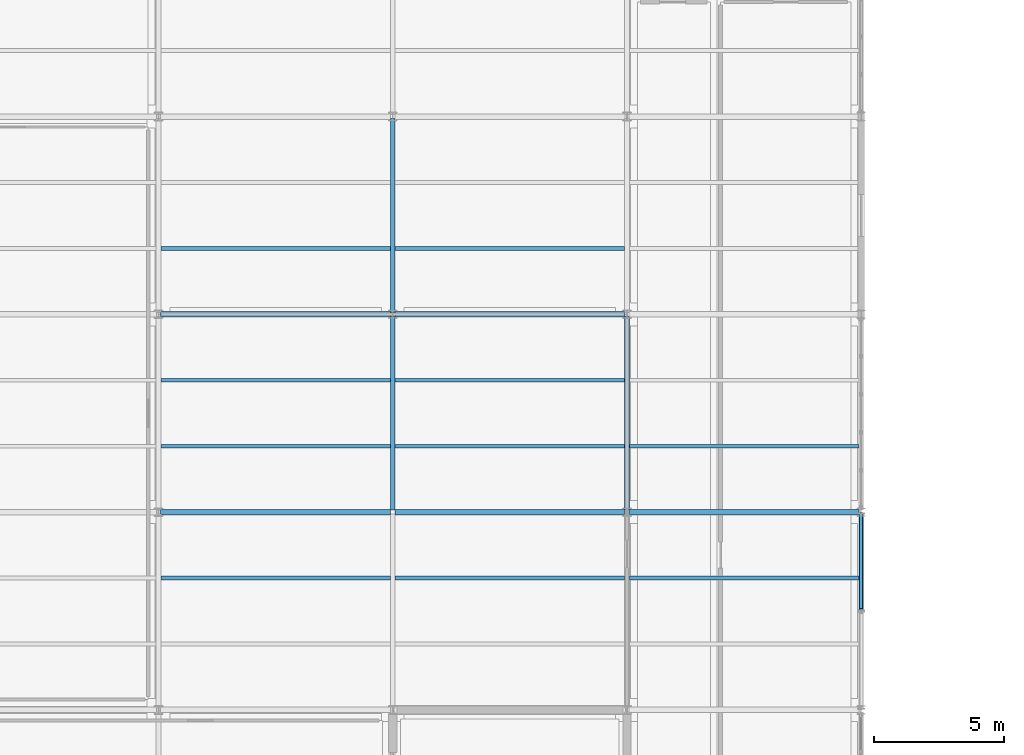
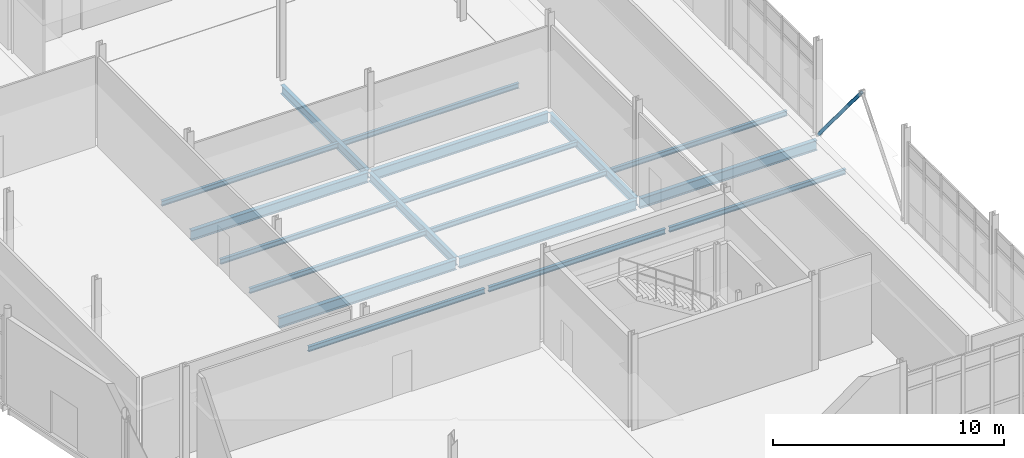
# One storey, part 114 of 161: 18 beams, 1 member.
"""IFC4 building model written with IfcOpenShell, lengths in metres."""

from ifc_helpers import new_model, si_unit, direction, frame, origin, origin_2d, place, context, subcontext, project, spatial, hollow_circle, i_section, extrude, material, material_profile, profile_set, type_object, element, save


model = new_model("IFC4")

# Units and contexts
model_context = context("Model", 3, precision=1e-05, world=origin(), true_north=direction((0.0, 1.0)))
body_context = subcontext(model_context, "Body", "Model", "MODEL_VIEW")
ifc_project = project(units=[si_unit("LENGTHUNIT", "METRE"), si_unit("AREAUNIT", "SQUARE_METRE"), si_unit("VOLUMEUNIT", "CUBIC_METRE"), si_unit("PLANEANGLEUNIT", "RADIAN"), si_unit("MASSUNIT", "GRAM", prefix="KILO")], contexts=[model_context])

# Site, building, storey
site_placement = place(None, origin())
site = spatial("IfcSite", under=ifc_project, at=site_placement, CompositionType="ELEMENT")
building_placement = place(site_placement, origin())
building = spatial("IfcBuilding", under=site, at=building_placement, Name="Caisbarro Railhouse Central Library", CompositionType="ELEMENT")
storey_placement = place(building_placement, origin())
storey = spatial("IfcBuildingStorey", under=building, at=storey_placement, Name="L00", CompositionType="ELEMENT", Elevation=0.0)

# Beams
ifc_material = material(Name="Steel ASTM A572 Grade 50", Category="steel")
ifc_material_profile_1 = material_profile(ifc_material, i_section(OverallWidth=0.208984375, OverallDepth=0.532958984375, WebThickness=0.01025390625, FlangeThickness=0.015625, FilletRadius=0.02001953125, at=origin_2d()), Name="W530X92.0")
ifc_profile_set_1 = profile_set([ifc_material_profile_1], Name="Steel ASTM A572 Grade 50")
beam_type_1 = type_object("IfcBeamType", Name="BM-G06", PredefinedType="BEAM", material=ifc_profile_set_1)
for number, where, z_axis, x_axis, name in (
    (1, (126.080078125, 83.60009765625, -0.5166015625), (1.0, 0.0, 0.0), (0.0, 1.0, 0.0), "G06 beam L00 #503"),
    (2, (135.080078125, 83.60009765625, -0.5166015625), (1.0, 0.0, 0.0), (0.0, 1.0, 0.0), "G06 beam L00 #504"),
    (3, (144.080078125, 83.60009765625, -0.5166015625), (1.0, 0.0, 0.0), (0.0, 1.0, 0.0), "G06 beam L00 #505"),
    (4, (126.080078125, 91.199951171875, -0.5166015625), (1.0, 0.0, 0.0), (0.0, 1.0, 0.0), "G06 beam L00 #507"),
    (5, (135.080078125, 91.199951171875, -0.5166015625), (1.0, 0.0, 0.0), (0.0, 1.0, 0.0), "G06 beam L00 #508"),
):
    element("IfcBeam", number, at=place(storey_placement, frame(where, z_axis=z_axis, x_axis=x_axis)), inside=storey, type_object=beam_type_1, Name=name, PredefinedType="BEAM", context=body_context, shape_type="SweptSolid", body=[
        extrude(i_section(OverallWidth=0.208984375, OverallDepth=0.532958984375, WebThickness=0.01025390625, FlangeThickness=0.015625, FilletRadius=0.02001953125, at=origin_2d()), origin(), (0.0, 0.0, 1.0), 8.83984375),
    ])
ifc_material_profile_2 = material_profile(ifc_material, i_section(OverallWidth=0.18994140625, OverallDepth=0.45703125, WebThickness=0.009033203125, FlangeThickness=0.014404296875, FilletRadius=0.01806640625, at=origin_2d()), Name="W460X74.0")
ifc_profile_set_2 = profile_set([ifc_material_profile_2], Name="Steel ASTM A572 Grade 50")
beam_type_2 = type_object("IfcBeamType", Name="BM-G08", PredefinedType="BEAM", material=ifc_profile_set_2)
beam_1_placement = place(storey_placement, frame((135.0, 83.679931640625, -0.478515625), z_axis=(0.0, 1.0, 0.0), x_axis=(-1.0, 0.0, 0.0)))
element("IfcBeam", 6, at=beam_1_placement, inside=storey, type_object=beam_type_2, Name="G08 beam L00 #539", PredefinedType="BEAM", context=body_context, shape_type="SweptSolid", body=[
    extrude(i_section(OverallWidth=0.18994140625, OverallDepth=0.45703125, WebThickness=0.009033203125, FlangeThickness=0.014404296875, FilletRadius=0.01806640625, at=origin_2d()), origin(), (0.0, 0.0, 1.0), 7.440185546875),
])
beam_2_placement = place(storey_placement, frame((135.0, 91.280029296875, -0.478515625), z_axis=(0.0, 1.0, 0.0), x_axis=(-1.0, 0.0, 0.0)))
element("IfcBeam", 7, at=beam_2_placement, inside=storey, type_object=beam_type_2, Name="G08 beam L00 #540", PredefinedType="BEAM", context=body_context, shape_type="SweptSolid", body=[
    extrude(i_section(OverallWidth=0.18994140625, OverallDepth=0.45703125, WebThickness=0.009033203125, FlangeThickness=0.014404296875, FilletRadius=0.01806640625, at=origin_2d()), origin(), (0.0, 0.0, 1.0), 7.43994140625),
])
beam_3_placement = place(storey_placement, frame((144.0, 83.679931640625, -0.478515625), z_axis=(0.0, 1.0, 0.0), x_axis=(-1.0, 0.0, 0.0)))
element("IfcBeam", 8, at=beam_3_placement, inside=storey, type_object=beam_type_2, Name="G08 beam L00 #546", PredefinedType="BEAM", context=body_context, shape_type="SweptSolid", body=[
    extrude(i_section(OverallWidth=0.18994140625, OverallDepth=0.45703125, WebThickness=0.009033203125, FlangeThickness=0.014404296875, FilletRadius=0.01806640625, at=origin_2d()), origin(), (0.0, 0.0, 1.0), 7.440185546875),
])
ifc_material_profile_3 = material_profile(ifc_material, i_section(OverallWidth=0.14794921875, OverallDepth=0.26611328125, WebThickness=0.007568359375, FlangeThickness=0.012939453125, FilletRadius=0.010009765625, at=origin_2d()), Name="W250X44.8")
ifc_profile_set_3 = profile_set([ifc_material_profile_3], Name="Steel ASTM A572 Grade 50")
beam_type_3 = type_object("IfcBeamType", Name="BM-J04", PredefinedType="JOIST", material=ifc_profile_set_3)
for number, where, z_axis, x_axis, name in (
    (9, (126.094970703125, 81.066650390625, -0.383056640625), (1.0, 0.0, 0.0), (0.0, 1.0, 0.0), "J04 beam L00 #576"),
    (10, (126.094970703125, 86.13330078125, -0.383056640625), (1.0, 0.0, 0.0), (0.0, 1.0, 0.0), "J04 beam L00 #577"),
    (11, (126.094970703125, 88.666748046875, -0.383056640625), (1.0, 0.0, 0.0), (0.0, 1.0, 0.0), "J04 beam L00 #578"),
    (12, (126.094970703125, 93.7333984375, -0.383056640625), (1.0, 0.0, 0.0), (0.0, 1.0, 0.0), "J04 beam L00 #579"),
    (13, (135.094970703125, 81.066650390625, -0.383056640625), (1.0, 0.0, 0.0), (0.0, 1.0, 0.0), "J04 beam L00 #590"),
    (14, (135.094970703125, 86.13330078125, -0.383056640625), (1.0, 0.0, 0.0), (0.0, 1.0, 0.0), "J04 beam L00 #591"),
    (15, (135.094970703125, 88.666748046875, -0.383056640625), (1.0, 0.0, 0.0), (0.0, 1.0, 0.0), "J04 beam L00 #592"),
    (16, (135.094970703125, 93.7333984375, -0.383056640625), (1.0, 0.0, 0.0), (0.0, 1.0, 0.0), "J04 beam L00 #593"),
    (17, (144.094970703125, 81.066650390625, -0.383056640625), (1.0, 0.0, 0.0), (0.0, 1.0, 0.0), "J04 beam L00 #604"),
    (18, (144.094970703125, 86.13330078125, -0.383056640625), (1.0, 0.0, 0.0), (0.0, 1.0, 0.0), "J04 beam L00 #605"),
):
    element("IfcBeam", number, at=place(storey_placement, frame(where, z_axis=z_axis, x_axis=x_axis)), inside=storey, type_object=beam_type_3, Name=name, PredefinedType="JOIST", context=body_context, shape_type="SweptSolid", body=[
        extrude(i_section(OverallWidth=0.14794921875, OverallDepth=0.26611328125, WebThickness=0.007568359375, FlangeThickness=0.012939453125, FilletRadius=0.010009765625, at=origin_2d()), origin(), (0.0, 0.0, 1.0), 8.81005859375),
    ])

# Member
ifc_material_profile_4 = material_profile(ifc_material, hollow_circle(Radius=0.084228515625, WallThickness=0.008056640625, at=origin_2d()), Name="CHS168.3X8")
ifc_profile_set_4 = profile_set([ifc_material_profile_4], Name="Steel ASTM A572 Grade 50")
member_type = type_object("IfcMemberType", Name="MEM-BR04", PredefinedType="BRACE", material=ifc_profile_set_4)
member_placement = place(storey_placement, frame((153.0, 83.5400390625, 0.02001953125), z_axis=(0.0, -0.640184399664, 0.768221279597), x_axis=(1.0, 0.0, 0.0)))
element("IfcMember", 19, at=member_placement, inside=storey, type_object=member_type, Name="BR04 chevron brace X153 L00.2", PredefinedType="BRACE", context=body_context, shape_type="SweptSolid", body=[
    extrude(hollow_circle(Radius=0.084228515625, WallThickness=0.008056640625, at=origin_2d()), origin(), (0.0, 0.0, 1.0), 5.779541015625),
])

save(model, "model.ifc")
